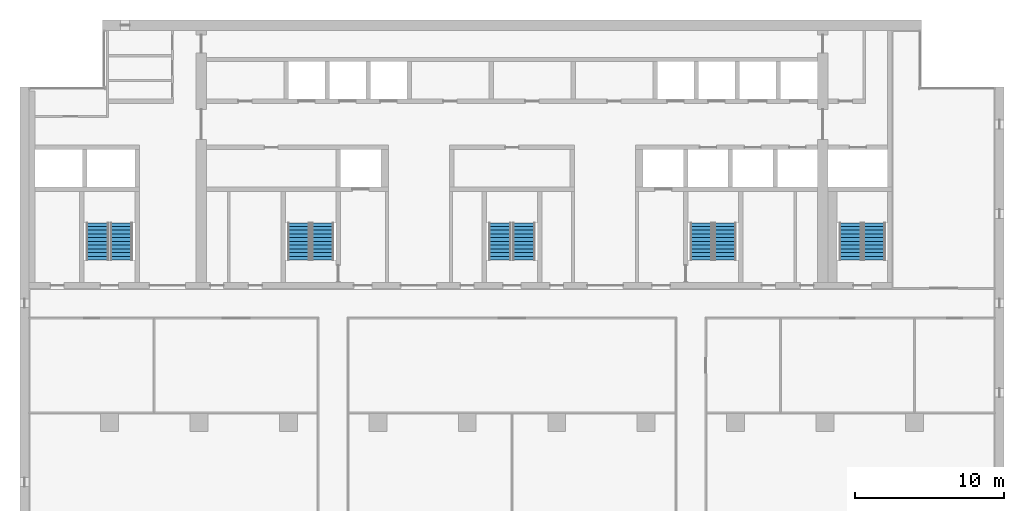
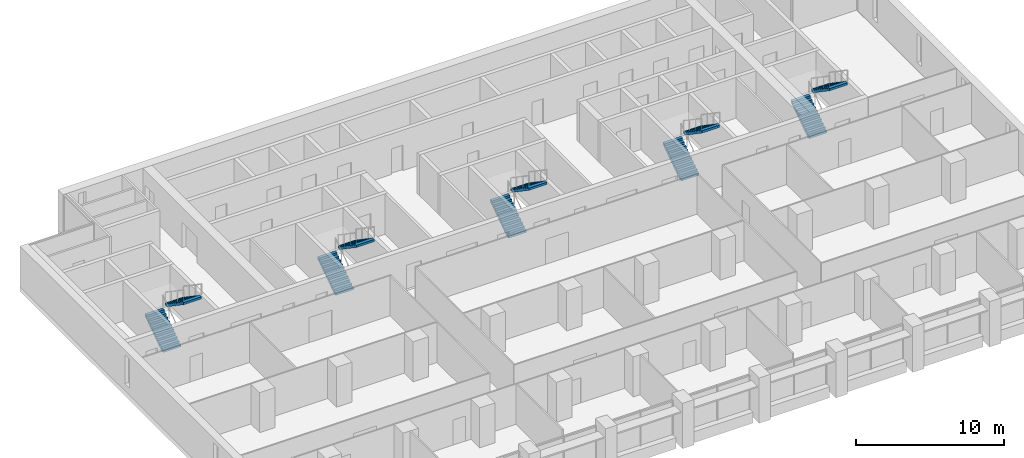
# One storey, part 13 of 17: 10 stair flights, 5 elements without a shape of their own.
"""IFC4 building model written with IfcOpenShell, lengths in metres."""

from ifc_helpers import new_model, si_unit, direction, frame, origin, place, context, subcontext, project, spatial, polyline, outline, extrude, material, type_object, element, aggregate, save


model = new_model("IFC4")

# Units and contexts
model_context = context("Model", 3, precision=1e-05, world=origin(), true_north=direction((0.0, 1.0)))
body_context = subcontext(model_context, "Body", "Model", "MODEL_VIEW")
ifc_project = project(units=[si_unit("LENGTHUNIT", "METRE"), si_unit("AREAUNIT", "SQUARE_METRE"), si_unit("VOLUMEUNIT", "CUBIC_METRE"), si_unit("PLANEANGLEUNIT", "RADIAN"), si_unit("MASSUNIT", "GRAM", prefix="KILO")], contexts=[model_context])

# Site, building, storey
site_placement = place(None, origin())
site = spatial("IfcSite", under=ifc_project, at=site_placement, CompositionType="ELEMENT")
building_placement = place(site_placement, origin())
building = spatial("IfcBuilding", under=site, at=building_placement, Name="Calvaro Tower", CompositionType="ELEMENT")
storey_placement = place(building_placement, frame((0.0, 0.0, 170.5)))
storey = spatial("IfcBuildingStorey", under=building, at=storey_placement, Name="L42", CompositionType="ELEMENT", Elevation=170.5)

# Stair, stair flights
ifc_material_1 = material(Name="Concrete C40/50", Category="concrete")
stair_type = type_object("IfcStairType", Name="Exit stair 1400 2 flights", PredefinedType="HALF_TURN_STAIR", material=ifc_material_1)
stair_1_placement = place(storey_placement, origin())
stair_1 = element("IfcStair", 1, at=stair_1_placement, inside=storey, type_object=stair_type, Name="Exit stair S1", PredefinedType="HALF_TURN_STAIR")
ifc_material_2 = material(Name="Concrete C40/50", Category="concrete")
stair_flight_type = type_object("IfcStairFlightType", Name="Stair flight", PredefinedType="STRAIGHT", material=ifc_material_2)
stair_flight_1_placement = place(storey_placement, frame((11.199951171875, 29.89990234375, 0.0), z_axis=(0.0, 0.0, 1.0), x_axis=(0.0, 1.0, 0.0)))
stair_flight_1 = element("IfcStairFlight", 2, at=stair_flight_1_placement, type_object=stair_flight_type, Name="Exit stair 1, flight 1", NumberOfRisers=11, NumberOfTreads=10, PredefinedType="STRAIGHT", RiserHeight=0.170454545, TreadLength=0.25, context=body_context, shape_type="SweptSolid", body=[
    extrude(outline(polyline([(0.0, 0.0), (0.0, 0.17041015625), (0.25, 0.17041015625), (0.25, 0.3408203125), (0.5, 0.3408203125), (0.5, 0.511474609375), (0.75, 0.511474609375), (0.75, 0.681884765625), (1.0, 0.681884765625), (1.0, 0.852294921875), (1.25, 0.852294921875), (1.25, 1.022705078125), (1.5, 1.022705078125), (1.5, 1.193115234375), (1.75, 1.193115234375), (1.75, 1.363525390625), (2.0, 1.363525390625), (2.0, 1.5341796875), (2.25, 1.5341796875), (2.25, 1.70458984375), (2.5, 1.70458984375), (2.5, 1.875), (2.5, 1.523193359375), (0.26611328125, 0.0), (0.0, 0.0)])), frame((0.0, 0.699951171875, 0.0), z_axis=(0.0, -1.0, 0.0), x_axis=(1.0, 0.0, 0.0)), (0.0, 0.0, 1.0), 1.39990234375),
])
stair_flight_2_placement = place(storey_placement, frame((12.800048828125, 32.39990234375, 1.875), z_axis=(0.0, 0.0, 1.0), x_axis=(0.0, -1.0, 0.0)))
stair_flight_2 = element("IfcStairFlight", 3, at=stair_flight_2_placement, type_object=stair_flight_type, Name="Exit stair 1, flight 2", NumberOfRisers=11, NumberOfTreads=10, PredefinedType="STRAIGHT", RiserHeight=0.170454545, TreadLength=0.25, context=body_context, shape_type="SweptSolid", body=[
    extrude(outline(polyline([(0.0, 0.0), (0.0, 0.17041015625), (0.25, 0.17041015625), (0.25, 0.3408203125), (0.5, 0.3408203125), (0.5, 0.511474609375), (0.75, 0.511474609375), (0.75, 0.681884765625), (1.0, 0.681884765625), (1.0, 0.852294921875), (1.25, 0.852294921875), (1.25, 1.022705078125), (1.5, 1.022705078125), (1.5, 1.193115234375), (1.75, 1.193115234375), (1.75, 1.363525390625), (2.0, 1.363525390625), (2.0, 1.5341796875), (2.25, 1.5341796875), (2.25, 1.70458984375), (2.5, 1.70458984375), (2.5, 1.875), (2.5, 1.523193359375), (0.26611328125, 0.0), (0.0, 0.0)])), frame((0.0, 0.699951171875, 0.0), z_axis=(0.0, -1.0, 0.0), x_axis=(1.0, 0.0, 0.0)), (0.0, 0.0, 1.0), 1.39990234375),
])
aggregate(stair_1, [stair_flight_1, stair_flight_2])

stair_2_placement = place(storey_placement, origin())
stair_2 = element("IfcStair", 4, at=stair_2_placement, inside=storey, type_object=stair_type, Name="Exit stair S2", PredefinedType="HALF_TURN_STAIR")
stair_flight_3_placement = place(storey_placement, frame((24.699951171875, 29.89990234375, 0.0), z_axis=(0.0, 0.0, 1.0), x_axis=(0.0, 1.0, 0.0)))
stair_flight_3 = element("IfcStairFlight", 5, at=stair_flight_3_placement, type_object=stair_flight_type, Name="Exit stair 2, flight 1", NumberOfRisers=11, NumberOfTreads=10, PredefinedType="STRAIGHT", RiserHeight=0.170454545, TreadLength=0.25, context=body_context, shape_type="SweptSolid", body=[
    extrude(outline(polyline([(0.0, 0.0), (0.0, 0.17041015625), (0.25, 0.17041015625), (0.25, 0.3408203125), (0.5, 0.3408203125), (0.5, 0.511474609375), (0.75, 0.511474609375), (0.75, 0.681884765625), (1.0, 0.681884765625), (1.0, 0.852294921875), (1.25, 0.852294921875), (1.25, 1.022705078125), (1.5, 1.022705078125), (1.5, 1.193115234375), (1.75, 1.193115234375), (1.75, 1.363525390625), (2.0, 1.363525390625), (2.0, 1.5341796875), (2.25, 1.5341796875), (2.25, 1.70458984375), (2.5, 1.70458984375), (2.5, 1.875), (2.5, 1.523193359375), (0.26611328125, 0.0), (0.0, 0.0)])), frame((0.0, 0.699951171875, 0.0), z_axis=(0.0, -1.0, 0.0), x_axis=(1.0, 0.0, 0.0)), (0.0, 0.0, 1.0), 1.39990234375),
])
stair_flight_4_placement = place(storey_placement, frame((26.300048828125, 32.39990234375, 1.875), z_axis=(0.0, 0.0, 1.0), x_axis=(0.0, -1.0, 0.0)))
stair_flight_4 = element("IfcStairFlight", 6, at=stair_flight_4_placement, type_object=stair_flight_type, Name="Exit stair 2, flight 2", NumberOfRisers=11, NumberOfTreads=10, PredefinedType="STRAIGHT", RiserHeight=0.170454545, TreadLength=0.25, context=body_context, shape_type="SweptSolid", body=[
    extrude(outline(polyline([(0.0, 0.0), (0.0, 0.17041015625), (0.25, 0.17041015625), (0.25, 0.3408203125), (0.5, 0.3408203125), (0.5, 0.511474609375), (0.75, 0.511474609375), (0.75, 0.681884765625), (1.0, 0.681884765625), (1.0, 0.852294921875), (1.25, 0.852294921875), (1.25, 1.022705078125), (1.5, 1.022705078125), (1.5, 1.193115234375), (1.75, 1.193115234375), (1.75, 1.363525390625), (2.0, 1.363525390625), (2.0, 1.5341796875), (2.25, 1.5341796875), (2.25, 1.70458984375), (2.5, 1.70458984375), (2.5, 1.875), (2.5, 1.523193359375), (0.26611328125, 0.0), (0.0, 0.0)])), frame((0.0, 0.699951171875, 0.0), z_axis=(0.0, -1.0, 0.0), x_axis=(1.0, 0.0, 0.0)), (0.0, 0.0, 1.0), 1.39990234375),
])
aggregate(stair_2, [stair_flight_3, stair_flight_4])

stair_3_placement = place(storey_placement, origin())
stair_3 = element("IfcStair", 7, at=stair_3_placement, inside=storey, type_object=stair_type, Name="Exit stair S3", PredefinedType="HALF_TURN_STAIR")
stair_flight_5_placement = place(storey_placement, frame((38.199951171875, 29.89990234375, 0.0), z_axis=(0.0, 0.0, 1.0), x_axis=(0.0, 1.0, 0.0)))
stair_flight_5 = element("IfcStairFlight", 8, at=stair_flight_5_placement, type_object=stair_flight_type, Name="Exit stair 3, flight 1", NumberOfRisers=11, NumberOfTreads=10, PredefinedType="STRAIGHT", RiserHeight=0.170454545, TreadLength=0.25, context=body_context, shape_type="SweptSolid", body=[
    extrude(outline(polyline([(0.0, 0.0), (0.0, 0.17041015625), (0.25, 0.17041015625), (0.25, 0.3408203125), (0.5, 0.3408203125), (0.5, 0.511474609375), (0.75, 0.511474609375), (0.75, 0.681884765625), (1.0, 0.681884765625), (1.0, 0.852294921875), (1.25, 0.852294921875), (1.25, 1.022705078125), (1.5, 1.022705078125), (1.5, 1.193115234375), (1.75, 1.193115234375), (1.75, 1.363525390625), (2.0, 1.363525390625), (2.0, 1.5341796875), (2.25, 1.5341796875), (2.25, 1.70458984375), (2.5, 1.70458984375), (2.5, 1.875), (2.5, 1.523193359375), (0.26611328125, 0.0), (0.0, 0.0)])), frame((0.0, 0.699951171875, 0.0), z_axis=(0.0, -1.0, 0.0), x_axis=(1.0, 0.0, 0.0)), (0.0, 0.0, 1.0), 1.39990234375),
])
stair_flight_6_placement = place(storey_placement, frame((39.800048828125, 32.39990234375, 1.875), z_axis=(0.0, 0.0, 1.0), x_axis=(0.0, -1.0, 0.0)))
stair_flight_6 = element("IfcStairFlight", 9, at=stair_flight_6_placement, type_object=stair_flight_type, Name="Exit stair 3, flight 2", NumberOfRisers=11, NumberOfTreads=10, PredefinedType="STRAIGHT", RiserHeight=0.170454545, TreadLength=0.25, context=body_context, shape_type="SweptSolid", body=[
    extrude(outline(polyline([(0.0, 0.0), (0.0, 0.17041015625), (0.25, 0.17041015625), (0.25, 0.3408203125), (0.5, 0.3408203125), (0.5, 0.511474609375), (0.75, 0.511474609375), (0.75, 0.681884765625), (1.0, 0.681884765625), (1.0, 0.852294921875), (1.25, 0.852294921875), (1.25, 1.022705078125), (1.5, 1.022705078125), (1.5, 1.193115234375), (1.75, 1.193115234375), (1.75, 1.363525390625), (2.0, 1.363525390625), (2.0, 1.5341796875), (2.25, 1.5341796875), (2.25, 1.70458984375), (2.5, 1.70458984375), (2.5, 1.875), (2.5, 1.523193359375), (0.26611328125, 0.0), (0.0, 0.0)])), frame((0.0, 0.699951171875, 0.0), z_axis=(0.0, -1.0, 0.0), x_axis=(1.0, 0.0, 0.0)), (0.0, 0.0, 1.0), 1.39990234375),
])
aggregate(stair_3, [stair_flight_5, stair_flight_6])

stair_4_placement = place(storey_placement, origin())
stair_4 = element("IfcStair", 10, at=stair_4_placement, inside=storey, type_object=stair_type, Name="Exit stair S4", PredefinedType="HALF_TURN_STAIR")
stair_flight_7_placement = place(storey_placement, frame((51.699951171875, 29.89990234375, 0.0), z_axis=(0.0, 0.0, 1.0), x_axis=(0.0, 1.0, 0.0)))
stair_flight_7 = element("IfcStairFlight", 11, at=stair_flight_7_placement, type_object=stair_flight_type, Name="Exit stair 4, flight 1", NumberOfRisers=11, NumberOfTreads=10, PredefinedType="STRAIGHT", RiserHeight=0.170454545, TreadLength=0.25, context=body_context, shape_type="SweptSolid", body=[
    extrude(outline(polyline([(0.0, 0.0), (0.0, 0.17041015625), (0.25, 0.17041015625), (0.25, 0.3408203125), (0.5, 0.3408203125), (0.5, 0.511474609375), (0.75, 0.511474609375), (0.75, 0.681884765625), (1.0, 0.681884765625), (1.0, 0.852294921875), (1.25, 0.852294921875), (1.25, 1.022705078125), (1.5, 1.022705078125), (1.5, 1.193115234375), (1.75, 1.193115234375), (1.75, 1.363525390625), (2.0, 1.363525390625), (2.0, 1.5341796875), (2.25, 1.5341796875), (2.25, 1.70458984375), (2.5, 1.70458984375), (2.5, 1.875), (2.5, 1.523193359375), (0.26611328125, 0.0), (0.0, 0.0)])), frame((0.0, 0.699951171875, 0.0), z_axis=(0.0, -1.0, 0.0), x_axis=(1.0, 0.0, 0.0)), (0.0, 0.0, 1.0), 1.39990234375),
])
stair_flight_8_placement = place(storey_placement, frame((53.300048828125, 32.39990234375, 1.875), z_axis=(0.0, 0.0, 1.0), x_axis=(0.0, -1.0, 0.0)))
stair_flight_8 = element("IfcStairFlight", 12, at=stair_flight_8_placement, type_object=stair_flight_type, Name="Exit stair 4, flight 2", NumberOfRisers=11, NumberOfTreads=10, PredefinedType="STRAIGHT", RiserHeight=0.170454545, TreadLength=0.25, context=body_context, shape_type="SweptSolid", body=[
    extrude(outline(polyline([(0.0, 0.0), (0.0, 0.17041015625), (0.25, 0.17041015625), (0.25, 0.3408203125), (0.5, 0.3408203125), (0.5, 0.511474609375), (0.75, 0.511474609375), (0.75, 0.681884765625), (1.0, 0.681884765625), (1.0, 0.852294921875), (1.25, 0.852294921875), (1.25, 1.022705078125), (1.5, 1.022705078125), (1.5, 1.193115234375), (1.75, 1.193115234375), (1.75, 1.363525390625), (2.0, 1.363525390625), (2.0, 1.5341796875), (2.25, 1.5341796875), (2.25, 1.70458984375), (2.5, 1.70458984375), (2.5, 1.875), (2.5, 1.523193359375), (0.26611328125, 0.0), (0.0, 0.0)])), frame((0.0, 0.699951171875, 0.0), z_axis=(0.0, -1.0, 0.0), x_axis=(1.0, 0.0, 0.0)), (0.0, 0.0, 1.0), 1.39990234375),
])
aggregate(stair_4, [stair_flight_7, stair_flight_8])

stair_5_placement = place(storey_placement, origin())
stair_5 = element("IfcStair", 13, at=stair_5_placement, inside=storey, type_object=stair_type, Name="Exit stair S5", PredefinedType="HALF_TURN_STAIR")
stair_flight_9_placement = place(storey_placement, frame((61.699951171875, 29.89990234375, 0.0), z_axis=(0.0, 0.0, 1.0), x_axis=(0.0, 1.0, 0.0)))
stair_flight_9 = element("IfcStairFlight", 14, at=stair_flight_9_placement, type_object=stair_flight_type, Name="Exit stair 5, flight 1", NumberOfRisers=11, NumberOfTreads=10, PredefinedType="STRAIGHT", RiserHeight=0.170454545, TreadLength=0.25, context=body_context, shape_type="SweptSolid", body=[
    extrude(outline(polyline([(0.0, 0.0), (0.0, 0.17041015625), (0.25, 0.17041015625), (0.25, 0.3408203125), (0.5, 0.3408203125), (0.5, 0.511474609375), (0.75, 0.511474609375), (0.75, 0.681884765625), (1.0, 0.681884765625), (1.0, 0.852294921875), (1.25, 0.852294921875), (1.25, 1.022705078125), (1.5, 1.022705078125), (1.5, 1.193115234375), (1.75, 1.193115234375), (1.75, 1.363525390625), (2.0, 1.363525390625), (2.0, 1.5341796875), (2.25, 1.5341796875), (2.25, 1.70458984375), (2.5, 1.70458984375), (2.5, 1.875), (2.5, 1.523193359375), (0.26611328125, 0.0), (0.0, 0.0)])), frame((0.0, 0.699951171875, 0.0), z_axis=(0.0, -1.0, 0.0), x_axis=(1.0, 0.0, 0.0)), (0.0, 0.0, 1.0), 1.39990234375),
])
stair_flight_10_placement = place(storey_placement, frame((63.300048828125, 32.39990234375, 1.875), z_axis=(0.0, 0.0, 1.0), x_axis=(0.0, -1.0, 0.0)))
stair_flight_10 = element("IfcStairFlight", 15, at=stair_flight_10_placement, type_object=stair_flight_type, Name="Exit stair 5, flight 2", NumberOfRisers=11, NumberOfTreads=10, PredefinedType="STRAIGHT", RiserHeight=0.170454545, TreadLength=0.25, context=body_context, shape_type="SweptSolid", body=[
    extrude(outline(polyline([(0.0, 0.0), (0.0, 0.17041015625), (0.25, 0.17041015625), (0.25, 0.3408203125), (0.5, 0.3408203125), (0.5, 0.511474609375), (0.75, 0.511474609375), (0.75, 0.681884765625), (1.0, 0.681884765625), (1.0, 0.852294921875), (1.25, 0.852294921875), (1.25, 1.022705078125), (1.5, 1.022705078125), (1.5, 1.193115234375), (1.75, 1.193115234375), (1.75, 1.363525390625), (2.0, 1.363525390625), (2.0, 1.5341796875), (2.25, 1.5341796875), (2.25, 1.70458984375), (2.5, 1.70458984375), (2.5, 1.875), (2.5, 1.523193359375), (0.26611328125, 0.0), (0.0, 0.0)])), frame((0.0, 0.699951171875, 0.0), z_axis=(0.0, -1.0, 0.0), x_axis=(1.0, 0.0, 0.0)), (0.0, 0.0, 1.0), 1.39990234375),
])
aggregate(stair_5, [stair_flight_9, stair_flight_10])

save(model, "model.ifc")
